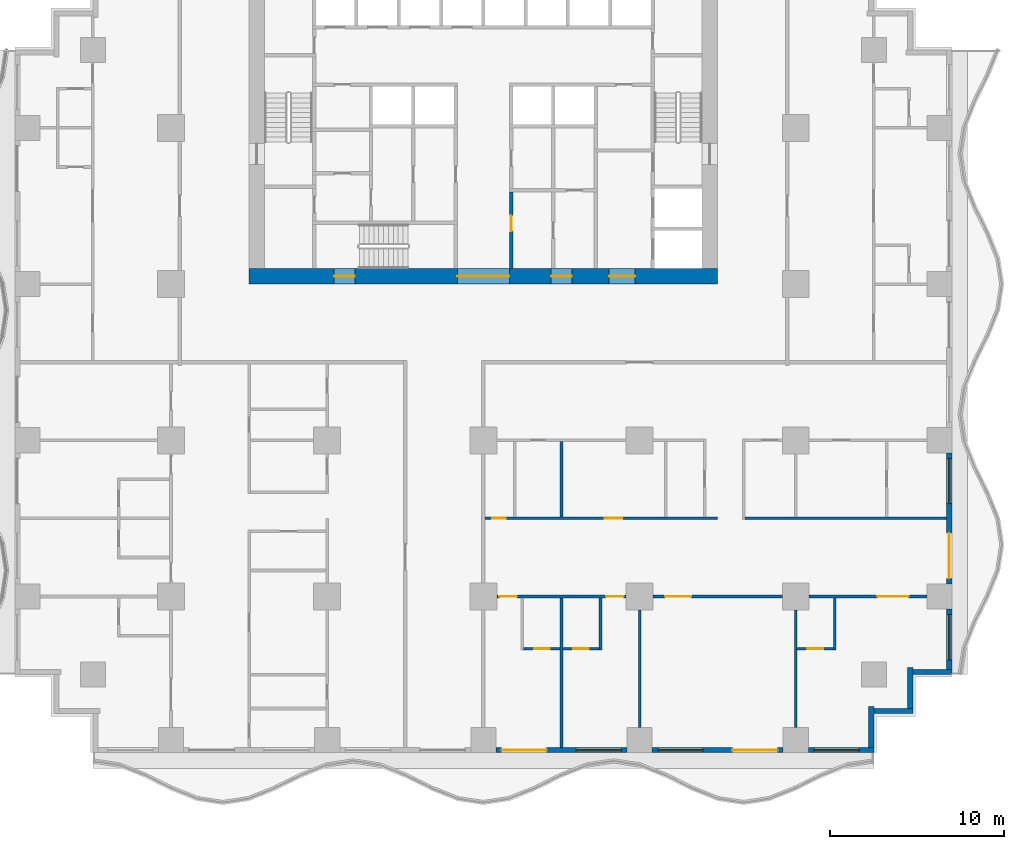
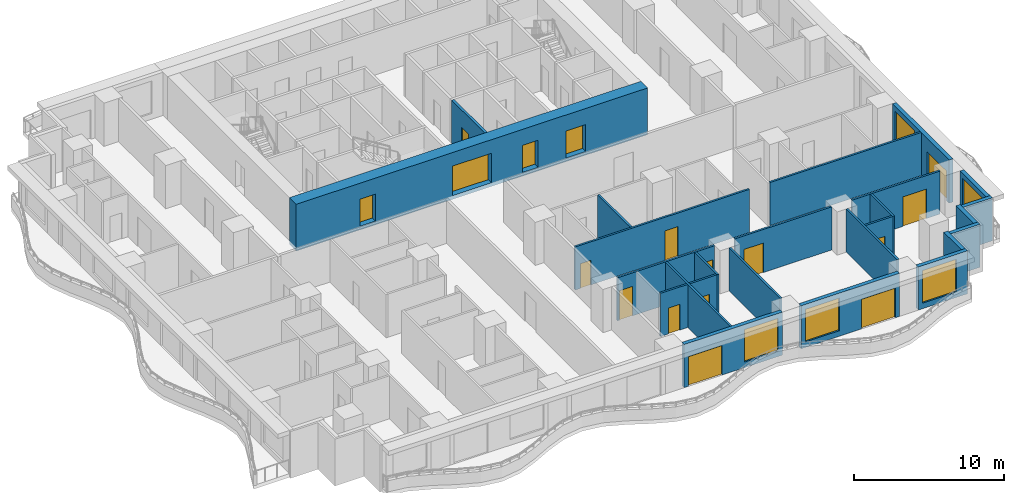
# One storey, part 3 of 14: 25 walls, 17 doors, 5 windows, 22 openings.
"""IFC4 building model written with IfcOpenShell, lengths in metres."""

from ifc_helpers import new_model, si_unit, direction, frame, frame_2d, origin, place, context, subcontext, project, spatial, rectangle, extrude, material, layer, layer_set, type_object, element, fill, save


model = new_model("IFC4")

# Units and contexts
model_context = context("Model", 3, precision=1e-05, world=origin(), true_north=direction((0.0, 1.0)))
body_context = subcontext(model_context, "Body", "Model", "MODEL_VIEW")
ifc_project = project(units=[si_unit("LENGTHUNIT", "METRE"), si_unit("AREAUNIT", "SQUARE_METRE"), si_unit("VOLUMEUNIT", "CUBIC_METRE"), si_unit("PLANEANGLEUNIT", "RADIAN"), si_unit("MASSUNIT", "GRAM", prefix="KILO")], contexts=[model_context])

# Site, building, storey
site_placement = place(None, origin())
site = spatial("IfcSite", under=ifc_project, at=site_placement, CompositionType="ELEMENT")
building_placement = place(site_placement, origin())
building = spatial("IfcBuilding", under=site, at=building_placement, Name="Orbiselva Terraces", CompositionType="ELEMENT")
storey_placement = place(building_placement, frame((0.0, 0.0, 37.8)))
storey = spatial("IfcBuildingStorey", under=building, at=storey_placement, Name="L09", CompositionType="ELEMENT", Elevation=37.8)

# Wall, openings, doors
ifc_material_1 = material(Name="Concrete C80/95", Category="concrete")
ifc_layer_1 = layer(ifc_material_1, 0.9)
ifc_layer_set_1 = layer_set([ifc_layer_1], Name="Concrete C80/95")
wall_type_1 = type_object("IfcWallType", Name="CORE WALL 900", PredefinedType="SHEAR", material=ifc_layer_set_1)
wall_1_placement = place(storey_placement, frame((-13.5, 4.95, -0.3), z_axis=(0.0, 0.0, 1.0), x_axis=(1.0, 0.0, 0.0)))
wall_1 = element("IfcWall", 1, at=wall_1_placement, inside=storey, type_object=wall_type_1, Name="Core wall L09 south", PredefinedType="SHEAR", context=body_context, shape_type="SweptSolid", body=[
    extrude(rectangle(XDim=27.0, YDim=0.9, at=frame_2d((13.5, 0.0))), origin(), (0.0, 0.0, 1.0), 3.8),
])
opening_1_placement = place(wall_1_placement, frame((12.0, 0.0, 0.3)))
opening_1 = element("IfcOpeningElement", 2, at=opening_1_placement, cuts=wall_1, Name="Opening DL3000", PredefinedType="OPENING", context=body_context, shape_type="SweptSolid", body=[
    extrude(rectangle(XDim=3.0, YDim=2.4, at=frame_2d((1.5, 1.2))), frame((0.0, 0.46, 0.0), z_axis=(0.0, -1.0, 0.0), x_axis=(1.0, 0.0, 0.0)), (0.0, 0.0, 1.0), 0.92),
])
opening_2_placement = place(wall_1_placement, frame((4.9, 0.0, 0.3)))
opening_2 = element("IfcOpeningElement", 3, at=opening_2_placement, cuts=wall_1, Name="Opening DS1200", PredefinedType="OPENING", context=body_context, shape_type="SweptSolid", body=[
    extrude(rectangle(XDim=1.2, YDim=2.2, at=frame_2d((0.6, 1.1))), frame((0.0, 0.46, 0.0), z_axis=(0.0, -1.0, 0.0), x_axis=(1.0, 0.0, 0.0)), (0.0, 0.0, 1.0), 0.92),
])
opening_3_placement = place(wall_1_placement, frame((20.75, 0.0, 0.3)))
opening_3 = element("IfcOpeningElement", 4, at=opening_3_placement, cuts=wall_1, Name="Opening DF1500", PredefinedType="OPENING", context=body_context, shape_type="SweptSolid", body=[
    extrude(rectangle(XDim=1.5, YDim=2.2, at=frame_2d((0.75, 1.1))), frame((0.0, 0.46, 0.0), z_axis=(0.0, -1.0, 0.0), x_axis=(1.0, 0.0, 0.0)), (0.0, 0.0, 1.0), 0.92),
])
opening_4_placement = place(wall_1_placement, frame((17.4, 0.0, 0.3)))
opening_4 = element("IfcOpeningElement", 5, at=opening_4_placement, cuts=wall_1, Name="Opening DV1200", PredefinedType="OPENING", context=body_context, shape_type="SweptSolid", body=[
    extrude(rectangle(XDim=1.2, YDim=2.2, at=frame_2d((0.6, 1.1))), frame((0.0, 0.46, 0.0), z_axis=(0.0, -1.0, 0.0), x_axis=(1.0, 0.0, 0.0)), (0.0, 0.0, 1.0), 0.92),
])
ifc_material_2 = material(Name="Steel fire door", Category="steel")
door_type_1 = type_object("IfcDoorType", Name="FFL DOOR 1500", OperationType="DOUBLE_DOOR_SINGLE_SWING", PredefinedType="DOOR", material=ifc_material_2)
door_1_placement = place(opening_3_placement, frame((1.5, 0.0, 0.0), z_axis=(0.0, 0.0, 1.0), x_axis=(-1.0, 0.0, 0.0)))
door_1 = element("IfcDoor", 6, at=door_1_placement, inside=storey, type_object=door_type_1, Name="L09 FIRE-FIGHTING LOBBY door", OperationType="DOUBLE_DOOR_SINGLE_SWING", OverallHeight=2.2, OverallWidth=1.5, PredefinedType="DOOR", context=body_context, shape_type="SweptSolid", body=[
    extrude(rectangle(XDim=1.5, YDim=2.2, at=frame_2d((0.75, 1.1))), frame((0.0, 0.025, 0.0), z_axis=(0.0, -1.0, 0.0), x_axis=(1.0, 0.0, 0.0)), (0.0, 0.0, 1.0), 0.05),
])
fill(opening_3, door_1)
door_type_2 = type_object("IfcDoorType", Name="LOBBY DOOR 3000", OperationType="DOUBLE_DOOR_SINGLE_SWING", PredefinedType="DOOR", material=ifc_material_2)
door_2_placement = place(opening_1_placement, frame((3.0, 0.0, 0.0), z_axis=(0.0, 0.0, 1.0), x_axis=(-1.0, 0.0, 0.0)))
door_2 = element("IfcDoor", 7, at=door_2_placement, inside=storey, type_object=door_type_2, Name="L09 LIFT LOBBY door", OperationType="DOUBLE_DOOR_SINGLE_SWING", OverallHeight=2.4, OverallWidth=3.0, PredefinedType="DOOR", context=body_context, shape_type="SweptSolid", body=[
    extrude(rectangle(XDim=3.0, YDim=2.4, at=frame_2d((1.5, 1.2))), frame((0.0, 0.025, 0.0), z_axis=(0.0, -1.0, 0.0), x_axis=(1.0, 0.0, 0.0)), (0.0, 0.0, 1.0), 0.05),
])
fill(opening_1, door_2)
door_type_3 = type_object("IfcDoorType", Name="SERVICE DOOR 1200", OperationType="NOTDEFINED", PredefinedType="DOOR", material=ifc_material_2)
door_3_placement = place(opening_4_placement, frame((1.2, 0.0, 0.0), z_axis=(0.0, 0.0, 1.0), x_axis=(-1.0, 0.0, 0.0)))
door_3 = element("IfcDoor", 8, at=door_3_placement, inside=storey, type_object=door_type_3, Name="L09 SPARE PARTS STORE door", OperationType="SINGLE_SWING_RIGHT", OverallHeight=2.2, OverallWidth=1.2, PredefinedType="DOOR", context=body_context, shape_type="SweptSolid", body=[
    extrude(rectangle(XDim=1.2, YDim=2.2, at=frame_2d((0.6, 1.1))), frame((0.0, 0.025, 0.0), z_axis=(0.0, -1.0, 0.0), x_axis=(1.0, 0.0, 0.0)), (0.0, 0.0, 1.0), 0.05),
])
fill(opening_4, door_3)
door_type_4 = type_object("IfcDoorType", Name="STAIR DOOR 1200", OperationType="NOTDEFINED", PredefinedType="DOOR", material=ifc_material_2)
door_4_placement = place(opening_2_placement, frame((1.2, 0.0, 0.0), z_axis=(0.0, 0.0, 1.0), x_axis=(-1.0, 0.0, 0.0)))
door_4 = element("IfcDoor", 9, at=door_4_placement, inside=storey, type_object=door_type_4, Name="L09 EXIT STAIR S3 door", OperationType="SINGLE_SWING_LEFT", OverallHeight=2.2, OverallWidth=1.2, PredefinedType="DOOR", context=body_context, shape_type="SweptSolid", body=[
    extrude(rectangle(XDim=1.2, YDim=2.2, at=frame_2d((0.6, 1.1))), frame((0.0, 0.025, 0.0), z_axis=(0.0, -1.0, 0.0), x_axis=(1.0, 0.0, 0.0)), (0.0, 0.0, 1.0), 0.05),
])
fill(opening_2, door_4)

# Wall, opening, door
ifc_material_3 = material(Name="Concrete C60/75", Category="concrete")
ifc_layer_2 = layer(ifc_material_3, 0.2)
ifc_layer_set_2 = layer_set([ifc_layer_2], Name="Concrete C60/75")
wall_type_2 = type_object("IfcWallType", Name="CORE-WALL-SHEAR-200", PredefinedType="SHEAR", material=ifc_layer_set_2)
wall_2_placement = place(storey_placement, frame((1.6, 9.8, 0.0), z_axis=(0.0, 0.0, 1.0), x_axis=(0.0, -1.0, 0.0)))
wall_2 = element("IfcWall", 10, at=wall_2_placement, inside=storey, type_object=wall_type_2, Name="L09 core wall 29", PredefinedType="SHEAR", context=body_context, shape_type="SweptSolid", body=[
    extrude(rectangle(XDim=4.4, YDim=0.2, at=frame_2d((2.2, 0.0))), origin(), (0.0, 0.0, 1.0), 3.5),
])
opening_5_placement = place(wall_2_placement, frame((1.35, 0.0, 0.0)))
opening_5 = element("IfcOpeningElement", 11, at=opening_5_placement, cuts=wall_2, Name="Opening DR900", PredefinedType="OPENING", context=body_context, shape_type="SweptSolid", body=[
    extrude(rectangle(XDim=0.9, YDim=2.1, at=frame_2d((0.45, 1.05))), frame((0.0, 0.11, 0.0), z_axis=(0.0, -1.0, 0.0), x_axis=(1.0, 0.0, 0.0)), (0.0, 0.0, 1.0), 0.22),
])
door_type_5 = type_object("IfcDoorType", Name="ROOM DOOR 900", OperationType="NOTDEFINED", PredefinedType="DOOR", material=ifc_material_2)
door_5_placement = place(opening_5_placement, origin())
door_5 = element("IfcDoor", 12, at=door_5_placement, inside=storey, type_object=door_type_5, Name="L09 ELECTRICAL ROOM door", OperationType="SINGLE_SWING_LEFT", OverallHeight=2.1, OverallWidth=0.9, PredefinedType="DOOR", context=body_context, shape_type="SweptSolid", body=[
    extrude(rectangle(XDim=0.9, YDim=2.1, at=frame_2d((0.45, 1.05))), frame((0.0, 0.025, 0.0), z_axis=(0.0, -1.0, 0.0), x_axis=(1.0, 0.0, 0.0)), (0.0, 0.0, 1.0), 0.05),
])
fill(opening_5, door_5)

# Wall, openings, door, window
ifc_material_4 = material(Name="Terracotta cladding on masonry backing", Category="masonry")
ifc_layer_3 = layer(ifc_material_4, 0.3)
ifc_layer_set_3 = layer_set([ifc_layer_3], Name="Terracotta cladding on masonry backing")
wall_type_3 = type_object("IfcWallType", Name="ENV-WALL-TERRACOTTA-300", PredefinedType="SOLIDWALL", material=ifc_layer_set_3)
wall_3_placement = place(storey_placement, frame((8.275, -22.35, 0.0), z_axis=(0.0, 0.0, 1.0), x_axis=(-1.0, 0.0, 0.0)))
wall_3 = element("IfcWall", 13, at=wall_3_placement, inside=storey, type_object=wall_type_3, Name="Facade wall L09 S", PredefinedType="SOLIDWALL", context=body_context, shape_type="SweptSolid", body=[
    extrude(rectangle(XDim=7.55, YDim=0.3, at=frame_2d((3.775, 0.0))), origin(), (0.0, 0.0, 1.0), 3.5),
])
opening_6_placement = place(wall_3_placement, frame((4.625, 0.0, 0.0)))
opening_6 = element("IfcOpeningElement", 14, at=opening_6_placement, cuts=wall_3, Name="Opening Z1-C-E03", PredefinedType="OPENING", context=body_context, shape_type="SweptSolid", body=[
    extrude(rectangle(XDim=2.6, YDim=2.4, at=frame_2d((1.3, 1.2))), frame((0.0, 0.16, 0.0), z_axis=(0.0, -1.0, 0.0), x_axis=(1.0, 0.0, 0.0)), (0.0, 0.0, 1.0), 0.32),
])
opening_7_placement = place(wall_3_placement, frame((0.325, 0.0, 0.45)))
opening_7 = element("IfcOpeningElement", 15, at=opening_7_placement, cuts=wall_3, Name="Opening WN1", PredefinedType="OPENING", context=body_context, shape_type="SweptSolid", body=[
    extrude(rectangle(XDim=2.6, YDim=2.65, at=frame_2d((1.3, 1.325))), frame((0.0, 0.16, 0.0), z_axis=(0.0, -1.0, 0.0), x_axis=(1.0, 0.0, 0.0)), (0.0, 0.0, 1.0), 0.32),
])
ifc_material_5 = material(Name="Clear low-e glazing in aluminium frame", Category="aluminium")
door_type_6 = type_object("IfcDoorType", Name="BALCONY DOOR 2600 X 2400", OperationType="DOUBLE_DOOR_SLIDING", PredefinedType="DOOR", material=ifc_material_5)
door_6_placement = place(opening_6_placement, origin())
door_6 = element("IfcDoor", 16, at=door_6_placement, inside=storey, type_object=door_type_6, Name="Z1-C-E03", OperationType="SINGLE_SWING_LEFT", OverallHeight=2.4, OverallWidth=2.6, PredefinedType="DOOR", context=body_context, shape_type="SweptSolid", body=[
    extrude(rectangle(XDim=2.6, YDim=2.4, at=frame_2d((1.3, 1.2))), frame((0.0, 0.025, 0.0), z_axis=(0.0, -1.0, 0.0), x_axis=(1.0, 0.0, 0.0)), (0.0, 0.0, 1.0), 0.05),
])
fill(opening_6, door_6)
window_type = type_object("IfcWindowType", Name="WINDOW 2600 X 2650 S450", PartitioningType="TRIPLE_PANEL_VERTICAL", PredefinedType="WINDOW", material=ifc_material_5)
window_1_placement = place(opening_7_placement, origin())
window_1 = element("IfcWindow", 17, at=window_1_placement, inside=storey, type_object=window_type, Name="Window L09 S", OverallHeight=2.65, OverallWidth=2.6, PartitioningType="SINGLE_PANEL", PredefinedType="WINDOW", context=body_context, shape_type="SweptSolid", body=[
    extrude(rectangle(XDim=2.6, YDim=2.65, at=frame_2d((1.3, 1.325))), frame((0.0, 0.03, 0.0), z_axis=(0.0, -1.0, 0.0), x_axis=(1.0, 0.0, 0.0)), (0.0, 0.0, 1.0), 0.06),
])
fill(opening_7, window_1)

wall_4_placement = place(storey_placement, frame((17.275, -22.35, 0.0), z_axis=(0.0, 0.0, 1.0), x_axis=(-1.0, 0.0, 0.0)))
wall_4 = element("IfcWall", 18, at=wall_4_placement, inside=storey, type_object=wall_type_3, Name="Facade wall L09 S", PredefinedType="SOLIDWALL", context=body_context, shape_type="SweptSolid", body=[
    extrude(rectangle(XDim=7.55, YDim=0.3, at=frame_2d((3.775, 0.0))), origin(), (0.0, 0.0, 1.0), 3.5),
])
opening_8_placement = place(wall_4_placement, frame((4.625, 0.0, 0.45)))
opening_8 = element("IfcOpeningElement", 19, at=opening_8_placement, cuts=wall_4, Name="Opening WN1", PredefinedType="OPENING", context=body_context, shape_type="SweptSolid", body=[
    extrude(rectangle(XDim=2.6, YDim=2.65, at=frame_2d((1.3, 1.325))), frame((0.0, 0.16, 0.0), z_axis=(0.0, -1.0, 0.0), x_axis=(1.0, 0.0, 0.0)), (0.0, 0.0, 1.0), 0.32),
])
opening_9_placement = place(wall_4_placement, frame((0.325, 0.0, 0.0)))
opening_9 = element("IfcOpeningElement", 20, at=opening_9_placement, cuts=wall_4, Name="Opening Z1-C-E04", PredefinedType="OPENING", context=body_context, shape_type="SweptSolid", body=[
    extrude(rectangle(XDim=2.6, YDim=2.4, at=frame_2d((1.3, 1.2))), frame((0.0, 0.16, 0.0), z_axis=(0.0, -1.0, 0.0), x_axis=(1.0, 0.0, 0.0)), (0.0, 0.0, 1.0), 0.32),
])
door_7_placement = place(opening_9_placement, origin())
door_7 = element("IfcDoor", 21, at=door_7_placement, inside=storey, type_object=door_type_6, Name="Z1-C-E04", OperationType="SINGLE_SWING_LEFT", OverallHeight=2.4, OverallWidth=2.6, PredefinedType="DOOR", context=body_context, shape_type="SweptSolid", body=[
    extrude(rectangle(XDim=2.6, YDim=2.4, at=frame_2d((1.3, 1.2))), frame((0.0, 0.025, 0.0), z_axis=(0.0, -1.0, 0.0), x_axis=(1.0, 0.0, 0.0)), (0.0, 0.0, 1.0), 0.05),
])
fill(opening_9, door_7)
window_2_placement = place(opening_8_placement, origin())
window_2 = element("IfcWindow", 22, at=window_2_placement, inside=storey, type_object=window_type, Name="Window L09 S", OverallHeight=2.65, OverallWidth=2.6, PartitioningType="SINGLE_PANEL", PredefinedType="WINDOW", context=body_context, shape_type="SweptSolid", body=[
    extrude(rectangle(XDim=2.6, YDim=2.65, at=frame_2d((1.3, 1.325))), frame((0.0, 0.03, 0.0), z_axis=(0.0, -1.0, 0.0), x_axis=(1.0, 0.0, 0.0)), (0.0, 0.0, 1.0), 0.06),
])
fill(opening_8, window_2)

# Wall, opening, window
wall_5_placement = place(storey_placement, frame((22.5, -22.35, 0.0), z_axis=(0.0, 0.0, 1.0), x_axis=(-1.0, 0.0, 0.0)))
wall_5 = element("IfcWall", 23, at=wall_5_placement, inside=storey, type_object=wall_type_3, Name="Facade wall L09 S", PredefinedType="SOLIDWALL", context=body_context, shape_type="SweptSolid", body=[
    extrude(rectangle(XDim=3.775, YDim=0.3, at=frame_2d((1.8875, 0.0))), origin(), (0.0, 0.0, 1.0), 3.5),
])
opening_10_placement = place(wall_5_placement, frame((0.85, 0.0, 0.45)))
opening_10 = element("IfcOpeningElement", 24, at=opening_10_placement, cuts=wall_5, Name="Opening WN1", PredefinedType="OPENING", context=body_context, shape_type="SweptSolid", body=[
    extrude(rectangle(XDim=2.6, YDim=2.65, at=frame_2d((1.3, 1.325))), frame((0.0, 0.16, 0.0), z_axis=(0.0, -1.0, 0.0), x_axis=(1.0, 0.0, 0.0)), (0.0, 0.0, 1.0), 0.32),
])
window_3_placement = place(opening_10_placement, origin())
window_3 = element("IfcWindow", 25, at=window_3_placement, inside=storey, type_object=window_type, Name="Window L09 S", OverallHeight=2.65, OverallWidth=2.6, PartitioningType="SINGLE_PANEL", PredefinedType="WINDOW", context=body_context, shape_type="SweptSolid", body=[
    extrude(rectangle(XDim=2.6, YDim=2.65, at=frame_2d((1.3, 1.325))), frame((0.0, 0.03, 0.0), z_axis=(0.0, -1.0, 0.0), x_axis=(1.0, 0.0, 0.0)), (0.0, 0.0, 1.0), 0.06),
])
fill(opening_10, window_3)

# Walls
wall_6_placement = place(storey_placement, frame((22.35, -19.85, 0.0), z_axis=(0.0, 0.0, 1.0), x_axis=(0.0, -1.0, 0.0)))
element("IfcWall", 26, at=wall_6_placement, inside=storey, type_object=wall_type_3, Name="Facade wall L09 STEP", PredefinedType="SOLIDWALL", context=body_context, shape_type="SweptSolid", body=[
    extrude(rectangle(XDim=2.35, YDim=0.3, at=frame_2d((1.175, 0.0))), origin(), (0.0, 0.0, 1.0), 3.5),
])
wall_7_placement = place(storey_placement, frame((24.75, -20.1, 0.0), z_axis=(0.0, 0.0, 1.0), x_axis=(-1.0, 0.0, 0.0)))
element("IfcWall", 27, at=wall_7_placement, inside=storey, type_object=wall_type_3, Name="Facade wall L09 STEP", PredefinedType="SOLIDWALL", context=body_context, shape_type="SweptSolid", body=[
    extrude(rectangle(XDim=2.25, YDim=0.3, at=frame_2d((1.125, 0.0))), origin(), (0.0, 0.0, 1.0), 3.5),
])
wall_8_placement = place(storey_placement, frame((24.6, -17.6, 0.0), z_axis=(0.0, 0.0, 1.0), x_axis=(0.0, -1.0, 0.0)))
element("IfcWall", 28, at=wall_8_placement, inside=storey, type_object=wall_type_3, Name="Facade wall L09 STEP", PredefinedType="SOLIDWALL", context=body_context, shape_type="SweptSolid", body=[
    extrude(rectangle(XDim=2.35, YDim=0.3, at=frame_2d((1.175, 0.0))), origin(), (0.0, 0.0, 1.0), 3.5),
])
wall_9_placement = place(storey_placement, frame((27.0, -17.85, 0.0), z_axis=(0.0, 0.0, 1.0), x_axis=(-1.0, 0.0, 0.0)))
element("IfcWall", 29, at=wall_9_placement, inside=storey, type_object=wall_type_3, Name="Facade wall L09 STEP", PredefinedType="SOLIDWALL", context=body_context, shape_type="SweptSolid", body=[
    extrude(rectangle(XDim=2.25, YDim=0.3, at=frame_2d((1.125, 0.0))), origin(), (0.0, 0.0, 1.0), 3.5),
])

# Wall, opening, window
wall_10_placement = place(storey_placement, frame((26.85, -14.225, 0.0), z_axis=(0.0, 0.0, 1.0), x_axis=(0.0, -1.0, 0.0)))
wall_10 = element("IfcWall", 30, at=wall_10_placement, inside=storey, type_object=wall_type_3, Name="Facade wall L09 E", PredefinedType="SOLIDWALL", context=body_context, shape_type="SweptSolid", body=[
    extrude(rectangle(XDim=3.475, YDim=0.3, at=frame_2d((1.7375, 0.0))), origin(), (0.0, 0.0, 1.0), 3.5),
])
opening_11_placement = place(wall_10_placement, frame((0.325, 0.0, 0.45)))
opening_11 = element("IfcOpeningElement", 31, at=opening_11_placement, cuts=wall_10, Name="Opening WN1", PredefinedType="OPENING", context=body_context, shape_type="SweptSolid", body=[
    extrude(rectangle(XDim=2.6, YDim=2.65, at=frame_2d((1.3, 1.325))), frame((0.0, 0.16, 0.0), z_axis=(0.0, -1.0, 0.0), x_axis=(1.0, 0.0, 0.0)), (0.0, 0.0, 1.0), 0.32),
])
window_4_placement = place(opening_11_placement, origin())
window_4 = element("IfcWindow", 32, at=window_4_placement, inside=storey, type_object=window_type, Name="Window L09 E", OverallHeight=2.65, OverallWidth=2.6, PartitioningType="SINGLE_PANEL", PredefinedType="WINDOW", context=body_context, shape_type="SweptSolid", body=[
    extrude(rectangle(XDim=2.6, YDim=2.65, at=frame_2d((1.3, 1.325))), frame((0.0, 0.03, 0.0), z_axis=(0.0, -1.0, 0.0), x_axis=(1.0, 0.0, 0.0)), (0.0, 0.0, 1.0), 0.06),
])
fill(opening_11, window_4)

# Wall, openings, door, window
wall_11_placement = place(storey_placement, frame((26.85, -5.225, 0.0), z_axis=(0.0, 0.0, 1.0), x_axis=(0.0, -1.0, 0.0)))
wall_11 = element("IfcWall", 33, at=wall_11_placement, inside=storey, type_object=wall_type_3, Name="Facade wall L09 E", PredefinedType="SOLIDWALL", context=body_context, shape_type="SweptSolid", body=[
    extrude(rectangle(XDim=7.55, YDim=0.3, at=frame_2d((3.775, 0.0))), origin(), (0.0, 0.0, 1.0), 3.5),
])
opening_12_placement = place(wall_11_placement, frame((4.625, 0.0, 0.0)))
opening_12 = element("IfcOpeningElement", 34, at=opening_12_placement, cuts=wall_11, Name="Opening Z1-C-E05", PredefinedType="OPENING", context=body_context, shape_type="SweptSolid", body=[
    extrude(rectangle(XDim=2.6, YDim=2.4, at=frame_2d((1.3, 1.2))), frame((0.0, 0.16, 0.0), z_axis=(0.0, -1.0, 0.0), x_axis=(1.0, 0.0, 0.0)), (0.0, 0.0, 1.0), 0.32),
])
opening_13_placement = place(wall_11_placement, frame((0.325, 0.0, 0.45)))
opening_13 = element("IfcOpeningElement", 35, at=opening_13_placement, cuts=wall_11, Name="Opening WN1", PredefinedType="OPENING", context=body_context, shape_type="SweptSolid", body=[
    extrude(rectangle(XDim=2.6, YDim=2.65, at=frame_2d((1.3, 1.325))), frame((0.0, 0.16, 0.0), z_axis=(0.0, -1.0, 0.0), x_axis=(1.0, 0.0, 0.0)), (0.0, 0.0, 1.0), 0.32),
])
door_8_placement = place(opening_12_placement, origin())
door_8 = element("IfcDoor", 36, at=door_8_placement, inside=storey, type_object=door_type_6, Name="Z1-C-E05", OperationType="SINGLE_SWING_LEFT", OverallHeight=2.4, OverallWidth=2.6, PredefinedType="DOOR", context=body_context, shape_type="SweptSolid", body=[
    extrude(rectangle(XDim=2.6, YDim=2.4, at=frame_2d((1.3, 1.2))), frame((0.0, 0.025, 0.0), z_axis=(0.0, -1.0, 0.0), x_axis=(1.0, 0.0, 0.0)), (0.0, 0.0, 1.0), 0.05),
])
fill(opening_12, door_8)
window_5_placement = place(opening_13_placement, origin())
window_5 = element("IfcWindow", 37, at=window_5_placement, inside=storey, type_object=window_type, Name="Window L09 E", OverallHeight=2.65, OverallWidth=2.6, PartitioningType="SINGLE_PANEL", PredefinedType="WINDOW", context=body_context, shape_type="SweptSolid", body=[
    extrude(rectangle(XDim=2.6, YDim=2.65, at=frame_2d((1.3, 1.325))), frame((0.0, 0.03, 0.0), z_axis=(0.0, -1.0, 0.0), x_axis=(1.0, 0.0, 0.0)), (0.0, 0.0, 1.0), 0.06),
])
fill(opening_13, window_5)

# Wall, opening, door
ifc_material_6 = material(Name="Plasterboard on steel stud partition", Category="steel")
ifc_layer_4 = layer(ifc_material_6, 0.15)
ifc_layer_set_4 = layer_set([ifc_layer_4], Name="Plasterboard on steel stud partition")
wall_type_4 = type_object("IfcWallType", Name="UNIT-PARTITION-150", PredefinedType="PARTITIONING", material=ifc_layer_set_4)
wall_12_placement = place(storey_placement, frame((2.325, -16.5, 0.0), z_axis=(0.0, 0.0, 1.0), x_axis=(1.0, 0.0, 0.0)))
wall_12 = element("IfcWall", 38, at=wall_12_placement, inside=storey, type_object=wall_type_4, Name="PARTITION L09-003", PredefinedType="PARTITIONING", context=body_context, shape_type="SweptSolid", body=[
    extrude(rectangle(XDim=2.1, YDim=0.15, at=frame_2d((1.05, 0.0))), origin(), (0.0, 0.0, 1.0), 3.5),
])
opening_14_placement = place(wall_12_placement, frame((0.6, 0.0, 0.0)))
opening_14 = element("IfcOpeningElement", 39, at=opening_14_placement, cuts=wall_12, Name="Opening Z1-C-37", PredefinedType="OPENING", context=body_context, shape_type="SweptSolid", body=[
    extrude(rectangle(XDim=0.9, YDim=2.1, at=frame_2d((0.45, 1.05))), frame((0.0, 0.085, 0.0), z_axis=(0.0, -1.0, 0.0), x_axis=(1.0, 0.0, 0.0)), (0.0, 0.0, 1.0), 0.17),
])
ifc_material_7 = material(Name="Painted timber door leaf", Category="wood")
door_type_7 = type_object("IfcDoorType", Name="BATH DOOR 900", OperationType="NOTDEFINED", PredefinedType="DOOR", material=ifc_material_7)
door_9_placement = place(opening_14_placement, origin())
door_9 = element("IfcDoor", 40, at=door_9_placement, inside=storey, type_object=door_type_7, Name="Z1-C-37", OperationType="SINGLE_SWING_RIGHT", OverallHeight=2.1, OverallWidth=0.9, PredefinedType="DOOR", context=body_context, shape_type="SweptSolid", body=[
    extrude(rectangle(XDim=0.9, YDim=2.1, at=frame_2d((0.45, 1.05))), frame((0.0, 0.025, 0.0), z_axis=(0.0, -1.0, 0.0), x_axis=(1.0, 0.0, 0.0)), (0.0, 0.0, 1.0), 0.05),
])
fill(opening_14, door_9)

wall_13_placement = place(storey_placement, frame((4.575, -16.5, 0.0), z_axis=(0.0, 0.0, 1.0), x_axis=(1.0, 0.0, 0.0)))
wall_13 = element("IfcWall", 41, at=wall_13_placement, inside=storey, type_object=wall_type_4, Name="PARTITION L09-004", PredefinedType="PARTITIONING", context=body_context, shape_type="SweptSolid", body=[
    extrude(rectangle(XDim=2.1, YDim=0.15, at=frame_2d((1.05, 0.0))), origin(), (0.0, 0.0, 1.0), 3.5),
])
opening_15_placement = place(wall_13_placement, frame((0.6, 0.0, 0.0)))
opening_15 = element("IfcOpeningElement", 42, at=opening_15_placement, cuts=wall_13, Name="Opening Z1-C-39", PredefinedType="OPENING", context=body_context, shape_type="SweptSolid", body=[
    extrude(rectangle(XDim=0.9, YDim=2.1, at=frame_2d((0.45, 1.05))), frame((0.0, 0.085, 0.0), z_axis=(0.0, -1.0, 0.0), x_axis=(1.0, 0.0, 0.0)), (0.0, 0.0, 1.0), 0.17),
])
door_10_placement = place(opening_15_placement, origin())
door_10 = element("IfcDoor", 43, at=door_10_placement, inside=storey, type_object=door_type_7, Name="Z1-C-39", OperationType="SINGLE_SWING_LEFT", OverallHeight=2.1, OverallWidth=0.9, PredefinedType="DOOR", context=body_context, shape_type="SweptSolid", body=[
    extrude(rectangle(XDim=0.9, YDim=2.1, at=frame_2d((0.45, 1.05))), frame((0.0, 0.025, 0.0), z_axis=(0.0, -1.0, 0.0), x_axis=(1.0, 0.0, 0.0)), (0.0, 0.0, 1.0), 0.05),
])
fill(opening_15, door_10)

wall_14_placement = place(storey_placement, frame((18.075, -16.5, 0.0), z_axis=(0.0, 0.0, 1.0), x_axis=(1.0, 0.0, 0.0)))
wall_14 = element("IfcWall", 44, at=wall_14_placement, inside=storey, type_object=wall_type_4, Name="PARTITION L09-005", PredefinedType="PARTITIONING", context=body_context, shape_type="SweptSolid", body=[
    extrude(rectangle(XDim=2.1, YDim=0.15, at=frame_2d((1.05, 0.0))), origin(), (0.0, 0.0, 1.0), 3.5),
])
opening_16_placement = place(wall_14_placement, frame((0.6, 0.0, 0.0)))
opening_16 = element("IfcOpeningElement", 45, at=opening_16_placement, cuts=wall_14, Name="Opening Z1-C-42", PredefinedType="OPENING", context=body_context, shape_type="SweptSolid", body=[
    extrude(rectangle(XDim=0.9, YDim=2.1, at=frame_2d((0.45, 1.05))), frame((0.0, 0.085, 0.0), z_axis=(0.0, -1.0, 0.0), x_axis=(1.0, 0.0, 0.0)), (0.0, 0.0, 1.0), 0.17),
])
door_11_placement = place(opening_16_placement, origin())
door_11 = element("IfcDoor", 46, at=door_11_placement, inside=storey, type_object=door_type_7, Name="Z1-C-42", OperationType="SINGLE_SWING_LEFT", OverallHeight=2.1, OverallWidth=0.9, PredefinedType="DOOR", context=body_context, shape_type="SweptSolid", body=[
    extrude(rectangle(XDim=0.9, YDim=2.1, at=frame_2d((0.45, 1.05))), frame((0.0, 0.025, 0.0), z_axis=(0.0, -1.0, 0.0), x_axis=(1.0, 0.0, 0.0)), (0.0, 0.0, 1.0), 0.05),
])
fill(opening_16, door_11)

# Wall, openings, doors
wall_15_placement = place(storey_placement, frame((8.225, -13.5, 0.0), z_axis=(0.0, 0.0, 1.0), x_axis=(-1.0, 0.0, 0.0)))
wall_15 = element("IfcWall", 47, at=wall_15_placement, inside=storey, type_object=wall_type_4, Name="PARTITION L09-008", PredefinedType="PARTITIONING", context=body_context, shape_type="SweptSolid", body=[
    extrude(rectangle(XDim=7.45, YDim=0.15, at=frame_2d((3.725, 0.0))), origin(), (0.0, 0.0, 1.0), 3.5),
])
opening_17_placement = place(wall_15_placement, frame((6.3, 0.0, 0.0)))
opening_17 = element("IfcOpeningElement", 48, at=opening_17_placement, cuts=wall_15, Name="Opening Z1-C-36", PredefinedType="OPENING", context=body_context, shape_type="SweptSolid", body=[
    extrude(rectangle(XDim=1.0, YDim=2.4, at=frame_2d((0.5, 1.2))), frame((0.0, 0.085, 0.0), z_axis=(0.0, -1.0, 0.0), x_axis=(1.0, 0.0, 0.0)), (0.0, 0.0, 1.0), 0.17),
])
opening_18_placement = place(wall_15_placement, frame((0.15, 0.0, 0.0)))
opening_18 = element("IfcOpeningElement", 49, at=opening_18_placement, cuts=wall_15, Name="Opening Z1-C-38", PredefinedType="OPENING", context=body_context, shape_type="SweptSolid", body=[
    extrude(rectangle(XDim=1.0, YDim=2.4, at=frame_2d((0.5, 1.2))), frame((0.0, 0.085, 0.0), z_axis=(0.0, -1.0, 0.0), x_axis=(1.0, 0.0, 0.0)), (0.0, 0.0, 1.0), 0.17),
])
door_type_8 = type_object("IfcDoorType", Name="ROOM DOOR 1000", OperationType="NOTDEFINED", PredefinedType="DOOR", material=ifc_material_7)
door_12_placement = place(opening_17_placement, origin())
door_12 = element("IfcDoor", 50, at=door_12_placement, inside=storey, type_object=door_type_8, Name="Z1-C-36", OperationType="SINGLE_SWING_RIGHT", OverallHeight=2.4, OverallWidth=1.0, PredefinedType="DOOR", context=body_context, shape_type="SweptSolid", body=[
    extrude(rectangle(XDim=1.0, YDim=2.4, at=frame_2d((0.5, 1.2))), frame((0.0, 0.025, 0.0), z_axis=(0.0, -1.0, 0.0), x_axis=(1.0, 0.0, 0.0)), (0.0, 0.0, 1.0), 0.05),
])
fill(opening_17, door_12)
door_13_placement = place(opening_18_placement, origin())
door_13 = element("IfcDoor", 51, at=door_13_placement, inside=storey, type_object=door_type_8, Name="Z1-C-38", OperationType="SINGLE_SWING_LEFT", OverallHeight=2.4, OverallWidth=1.0, PredefinedType="DOOR", context=body_context, shape_type="SweptSolid", body=[
    extrude(rectangle(XDim=1.0, YDim=2.4, at=frame_2d((0.5, 1.2))), frame((0.0, 0.025, 0.0), z_axis=(0.0, -1.0, 0.0), x_axis=(1.0, 0.0, 0.0)), (0.0, 0.0, 1.0), 0.05),
])
fill(opening_18, door_13)

# Wall, opening, door
wall_16_placement = place(storey_placement, frame((17.225, -13.5, 0.0), z_axis=(0.0, 0.0, 1.0), x_axis=(-1.0, 0.0, 0.0)))
wall_16 = element("IfcWall", 52, at=wall_16_placement, inside=storey, type_object=wall_type_4, Name="PARTITION L09-009", PredefinedType="PARTITIONING", context=body_context, shape_type="SweptSolid", body=[
    extrude(rectangle(XDim=7.45, YDim=0.15, at=frame_2d((3.725, 0.0))), origin(), (0.0, 0.0, 1.0), 3.5),
])
opening_19_placement = place(wall_16_placement, frame((5.25, 0.0, 0.0)))
opening_19 = element("IfcOpeningElement", 53, at=opening_19_placement, cuts=wall_16, Name="Opening Z1-C-40", PredefinedType="OPENING", context=body_context, shape_type="SweptSolid", body=[
    extrude(rectangle(XDim=1.5, YDim=2.4, at=frame_2d((0.75, 1.2))), frame((0.0, 0.085, 0.0), z_axis=(0.0, -1.0, 0.0), x_axis=(1.0, 0.0, 0.0)), (0.0, 0.0, 1.0), 0.17),
])
door_type_9 = type_object("IfcDoorType", Name="DOUBLE DOOR 1500", OperationType="NOTDEFINED", PredefinedType="DOOR", material=ifc_material_7)
door_14_placement = place(opening_19_placement, origin())
door_14 = element("IfcDoor", 54, at=door_14_placement, inside=storey, type_object=door_type_9, Name="Z1-C-40", OperationType="DOUBLE_DOOR_SINGLE_SWING", OverallHeight=2.4, OverallWidth=1.5, PredefinedType="DOOR", context=body_context, shape_type="SweptSolid", body=[
    extrude(rectangle(XDim=1.5, YDim=2.4, at=frame_2d((0.75, 1.2))), frame((0.0, 0.025, 0.0), z_axis=(0.0, -1.0, 0.0), x_axis=(1.0, 0.0, 0.0)), (0.0, 0.0, 1.0), 0.05),
])
fill(opening_19, door_14)

wall_17_placement = place(storey_placement, frame((25.55, -13.5, 0.0), z_axis=(0.0, 0.0, 1.0), x_axis=(-1.0, 0.0, 0.0)))
wall_17 = element("IfcWall", 55, at=wall_17_placement, inside=storey, type_object=wall_type_4, Name="PARTITION L09-010", PredefinedType="PARTITIONING", context=body_context, shape_type="SweptSolid", body=[
    extrude(rectangle(XDim=6.775, YDim=0.15, at=frame_2d((3.3875, 0.0))), origin(), (0.0, 0.0, 1.0), 3.5),
])
opening_20_placement = place(wall_17_placement, frame((1.05, 0.0, 0.0)))
opening_20 = element("IfcOpeningElement", 56, at=opening_20_placement, cuts=wall_17, Name="Opening Z1-C-41", PredefinedType="OPENING", context=body_context, shape_type="SweptSolid", body=[
    extrude(rectangle(XDim=1.8, YDim=2.4, at=frame_2d((0.9, 1.2))), frame((0.0, 0.085, 0.0), z_axis=(0.0, -1.0, 0.0), x_axis=(1.0, 0.0, 0.0)), (0.0, 0.0, 1.0), 0.17),
])
door_type_10 = type_object("IfcDoorType", Name="DOUBLE DOOR 1800", OperationType="NOTDEFINED", PredefinedType="DOOR", material=ifc_material_7)
door_15_placement = place(opening_20_placement, origin())
door_15 = element("IfcDoor", 57, at=door_15_placement, inside=storey, type_object=door_type_10, Name="Z1-C-41", OperationType="DOUBLE_DOOR_SINGLE_SWING", OverallHeight=2.4, OverallWidth=1.8, PredefinedType="DOOR", context=body_context, shape_type="SweptSolid", body=[
    extrude(rectangle(XDim=1.8, YDim=2.4, at=frame_2d((0.9, 1.2))), frame((0.0, 0.025, 0.0), z_axis=(0.0, -1.0, 0.0), x_axis=(1.0, 0.0, 0.0)), (0.0, 0.0, 1.0), 0.05),
])
fill(opening_20, door_15)

# Wall, openings, doors
wall_18_placement = place(storey_placement, frame((0.1, -9.0, 0.0), z_axis=(0.0, 0.0, 1.0), x_axis=(1.0, 0.0, 0.0)))
wall_18 = element("IfcWall", 58, at=wall_18_placement, inside=storey, type_object=wall_type_4, Name="PARTITION L09-016", PredefinedType="PARTITIONING", context=body_context, shape_type="SweptSolid", body=[
    extrude(rectangle(XDim=13.4, YDim=0.15, at=frame_2d((6.7, 0.0))), origin(), (0.0, 0.0, 1.0), 3.5),
])
opening_21_placement = place(wall_18_placement, frame((0.4, 0.0, 0.0)))
opening_21 = element("IfcOpeningElement", 59, at=opening_21_placement, cuts=wall_18, Name="Opening Z1-C-29", PredefinedType="OPENING", context=body_context, shape_type="SweptSolid", body=[
    extrude(rectangle(XDim=0.8, YDim=2.0, at=frame_2d((0.4, 1.0))), frame((0.0, 0.085, 0.0), z_axis=(0.0, -1.0, 0.0), x_axis=(1.0, 0.0, 0.0)), (0.0, 0.0, 1.0), 0.17),
])
opening_22_placement = place(wall_18_placement, frame((6.9, 0.0, 0.0)))
opening_22 = element("IfcOpeningElement", 60, at=opening_22_placement, cuts=wall_18, Name="Opening Z1-C-31", PredefinedType="OPENING", context=body_context, shape_type="SweptSolid", body=[
    extrude(rectangle(XDim=1.0, YDim=2.4, at=frame_2d((0.5, 1.2))), frame((0.0, 0.085, 0.0), z_axis=(0.0, -1.0, 0.0), x_axis=(1.0, 0.0, 0.0)), (0.0, 0.0, 1.0), 0.17),
])
door_16_placement = place(opening_22_placement, origin())
door_16 = element("IfcDoor", 61, at=door_16_placement, inside=storey, type_object=door_type_8, Name="Z1-C-31", OperationType="SINGLE_SWING_RIGHT", OverallHeight=2.4, OverallWidth=1.0, PredefinedType="DOOR", context=body_context, shape_type="SweptSolid", body=[
    extrude(rectangle(XDim=1.0, YDim=2.4, at=frame_2d((0.5, 1.2))), frame((0.0, 0.025, 0.0), z_axis=(0.0, -1.0, 0.0), x_axis=(1.0, 0.0, 0.0)), (0.0, 0.0, 1.0), 0.05),
])
fill(opening_22, door_16)
door_type_11 = type_object("IfcDoorType", Name="STORE DOOR 800", OperationType="NOTDEFINED", PredefinedType="DOOR", material=ifc_material_7)
door_17_placement = place(opening_21_placement, origin())
door_17 = element("IfcDoor", 62, at=door_17_placement, inside=storey, type_object=door_type_11, Name="Z1-C-29", OperationType="SINGLE_SWING_LEFT", OverallHeight=2.0, OverallWidth=0.8, PredefinedType="DOOR", context=body_context, shape_type="SweptSolid", body=[
    extrude(rectangle(XDim=0.8, YDim=2.0, at=frame_2d((0.4, 1.0))), frame((0.0, 0.025, 0.0), z_axis=(0.0, -1.0, 0.0), x_axis=(1.0, 0.0, 0.0)), (0.0, 0.0, 1.0), 0.05),
])
fill(opening_21, door_17)

# Walls
wall_19_placement = place(storey_placement, frame((15.075, -9.0, 0.0), z_axis=(0.0, 0.0, 1.0), x_axis=(1.0, 0.0, 0.0)))
element("IfcWall", 63, at=wall_19_placement, inside=storey, type_object=wall_type_4, Name="PARTITION L09-017", PredefinedType="PARTITIONING", context=body_context, shape_type="SweptSolid", body=[
    extrude(rectangle(XDim=11.625, YDim=0.15, at=frame_2d((5.8125, 0.0))), origin(), (0.0, 0.0, 1.0), 3.5),
])
wall_20_placement = place(storey_placement, frame((4.5, -22.2, 0.0), z_axis=(0.0, 0.0, 1.0), x_axis=(0.0, 1.0, 0.0)))
element("IfcWall", 64, at=wall_20_placement, inside=storey, type_object=wall_type_4, Name="PARTITION L09-063", PredefinedType="PARTITIONING", context=body_context, shape_type="SweptSolid", body=[
    extrude(rectangle(XDim=8.625, YDim=0.15, at=frame_2d((4.3125, 0.0))), origin(), (0.0, 0.0, 1.0), 3.5),
])
wall_21_placement = place(storey_placement, frame((4.5, -8.925, 0.0), z_axis=(0.0, 0.0, 1.0), x_axis=(0.0, 1.0, 0.0)))
element("IfcWall", 65, at=wall_21_placement, inside=storey, type_object=wall_type_4, Name="PARTITION L09-064", PredefinedType="PARTITIONING", context=body_context, shape_type="SweptSolid", body=[
    extrude(rectangle(XDim=4.35, YDim=0.15, at=frame_2d((2.175, 0.0))), origin(), (0.0, 0.0, 1.0), 3.5),
])
wall_22_placement = place(storey_placement, frame((6.75, -16.575, 0.0), z_axis=(0.0, 0.0, 1.0), x_axis=(0.0, 1.0, 0.0)))
element("IfcWall", 66, at=wall_22_placement, inside=storey, type_object=wall_type_4, Name="PARTITION L09-065", PredefinedType="PARTITIONING", context=body_context, shape_type="SweptSolid", body=[
    extrude(rectangle(XDim=3.0, YDim=0.15, at=frame_2d((1.5, 0.0))), origin(), (0.0, 0.0, 1.0), 3.5),
])
for number, where, z_axis, x_axis, name in (
    (67, (9.0, -21.05, 0.0), (0.0, 0.0, 1.0), (0.0, 1.0, 0.0), "PARTITION L09-066"),
    (68, (18.0, -21.05, 0.0), (0.0, 0.0, 1.0), (0.0, 1.0, 0.0), "PARTITION L09-073"),
):
    element("IfcWall", number, at=place(storey_placement, frame(where, z_axis=z_axis, x_axis=x_axis)), inside=storey, type_object=wall_type_4, Name=name, PredefinedType="PARTITIONING", context=body_context, shape_type="SweptSolid", body=[
        extrude(rectangle(XDim=6.775, YDim=0.15, at=frame_2d((3.3875, 0.0))), origin(), (0.0, 0.0, 1.0), 3.5),
    ])
wall_23_placement = place(storey_placement, frame((20.25, -16.575, 0.0), z_axis=(0.0, 0.0, 1.0), x_axis=(0.0, 1.0, 0.0)))
element("IfcWall", 69, at=wall_23_placement, inside=storey, type_object=wall_type_4, Name="PARTITION L09-075", PredefinedType="PARTITIONING", context=body_context, shape_type="SweptSolid", body=[
    extrude(rectangle(XDim=3.0, YDim=0.15, at=frame_2d((1.5, 0.0))), origin(), (0.0, 0.0, 1.0), 3.5),
])

save(model, "model.ifc")
